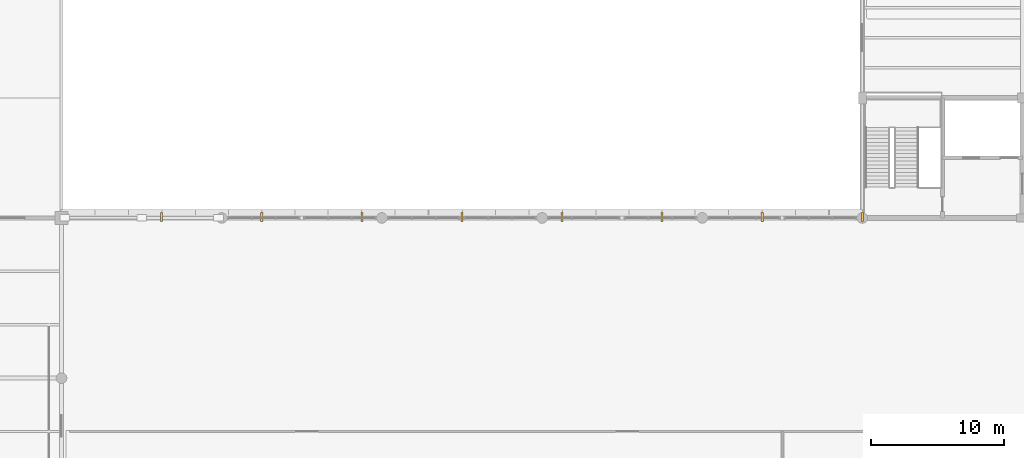
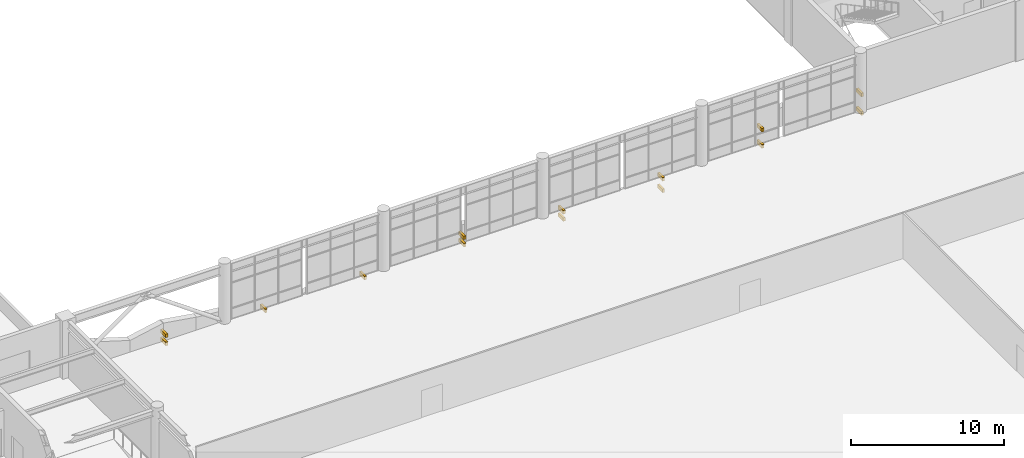
# One storey, part 72 of 72: 14 coverings.
"""IFC4 building model written with IfcOpenShell, lengths in metres."""

from ifc_helpers import new_model, si_unit, direction, frame, frame_2d, origin, place, context, subcontext, project, spatial, rectangle, extrude, material, layer, layer_set, type_object, element, save


model = new_model("IFC4")

# Units and contexts
model_context = context("Model", 3, precision=1e-05, world=origin(), true_north=direction((0.0, 1.0)))
body_context = subcontext(model_context, "Body", "Model", "MODEL_VIEW")
ifc_project = project(units=[si_unit("LENGTHUNIT", "METRE"), si_unit("AREAUNIT", "SQUARE_METRE"), si_unit("VOLUMEUNIT", "CUBIC_METRE"), si_unit("PLANEANGLEUNIT", "RADIAN"), si_unit("MASSUNIT", "GRAM", prefix="KILO")], contexts=[model_context])

# Site, building, storey
site_placement = place(None, origin())
site = spatial("IfcSite", under=ifc_project, at=site_placement, CompositionType="ELEMENT")
building_placement = place(site_placement, origin())
building = spatial("IfcBuilding", under=site, at=building_placement, Name="Keelwater Ferry Terminal", CompositionType="ELEMENT")
storey_placement = place(building_placement, frame((0.0, 0.0, 5.39990234375)))
storey = spatial("IfcBuildingStorey", under=building, at=storey_placement, Name="L01", CompositionType="ELEMENT", Elevation=5.39990234375)

# Coverings
ifc_material = material(Name="Matte white architectural aluminium fascia ribbon", Category="aluminium")
ifc_layer = layer(ifc_material, 0.1201171875)
ifc_layer_set = layer_set([ifc_layer], Name="Matte white architectural aluminium fascia ribbon")
covering_type = type_object("IfcCoveringType", Name="RB-WHT Matte White Fascia Ribbon", PredefinedType="CLADDING", material=ifc_layer_set)
covering_1_placement = place(storey_placement, frame((108.0, 90.419921875, 1.238037109375), z_axis=(0.0, 0.0, 1.0), x_axis=(0.0, -1.0, 0.0)))
element("IfcCovering", 1, at=covering_1_placement, inside=storey, type_object=covering_type, Name="Ribbon Horizontal Tie Bracket 6", PredefinedType="CLADDING", context=body_context, shape_type="SweptSolid", body=[
    extrude(rectangle(XDim=0.669921875, YDim=0.159912109375, at=frame_2d((0.3349609375, 0.0))), origin(), (0.0, 0.0, 1.0), 0.280029296875),
])
covering_2_placement = place(storey_placement, frame((108.0, 90.419921875, -0.25), z_axis=(0.0, 0.0, 1.0), x_axis=(0.0, -1.0, 0.0)))
element("IfcCovering", 2, at=covering_2_placement, inside=storey, type_object=covering_type, Name="Ribbon Slab Tie Bracket 8", PredefinedType="CLADDING", context=body_context, shape_type="SweptSolid", body=[
    extrude(rectangle(XDim=0.669921875, YDim=0.159912109375, at=frame_2d((0.3349609375, 0.0))), origin(), (0.0, 0.0, 1.0), 0.300048828125),
])
covering_3_placement = place(storey_placement, frame((100.5, 90.419921875, 1.05615234375), z_axis=(0.0, 0.0, 1.0), x_axis=(0.0, -1.0, 0.0)))
element("IfcCovering", 3, at=covering_3_placement, inside=storey, type_object=covering_type, Name="Ribbon Horizontal Tie Bracket 25", PredefinedType="CLADDING", context=body_context, shape_type="SweptSolid", body=[
    extrude(rectangle(XDim=0.669921875, YDim=0.159912109375, at=frame_2d((0.3349609375, 0.0))), origin(), (0.0, 0.0, 1.0), 0.280029296875),
])
covering_4_placement = place(storey_placement, frame((100.5, 90.419921875, -0.25), z_axis=(0.0, 0.0, 1.0), x_axis=(0.0, -1.0, 0.0)))
element("IfcCovering", 4, at=covering_4_placement, inside=storey, type_object=covering_type, Name="Ribbon Slab Tie Bracket 27", PredefinedType="CLADDING", context=body_context, shape_type="SweptSolid", body=[
    extrude(rectangle(XDim=0.669921875, YDim=0.159912109375, at=frame_2d((0.3349609375, 0.0))), origin(), (0.0, 0.0, 1.0), 0.300048828125),
])
covering_5_placement = place(storey_placement, frame((93.0, 90.419921875, -1.1689453125), z_axis=(0.0, 0.0, 1.0), x_axis=(0.0, -1.0, 0.0)))
element("IfcCovering", 5, at=covering_5_placement, inside=storey, type_object=covering_type, Name="Ribbon Horizontal Tie Bracket 44", PredefinedType="CLADDING", context=body_context, shape_type="SweptSolid", body=[
    extrude(rectangle(XDim=0.669921875, YDim=0.159912109375, at=frame_2d((0.3349609375, 0.0))), origin(), (0.0, 0.0, 1.0), 0.280029296875),
])
covering_6_placement = place(storey_placement, frame((93.0, 90.419921875, -0.25), z_axis=(0.0, 0.0, 1.0), x_axis=(0.0, -1.0, 0.0)))
element("IfcCovering", 6, at=covering_6_placement, inside=storey, type_object=covering_type, Name="Ribbon Slab Tie Bracket 46", PredefinedType="CLADDING", context=body_context, shape_type="SweptSolid", body=[
    extrude(rectangle(XDim=0.669921875, YDim=0.159912109375, at=frame_2d((0.3349609375, 0.0))), origin(), (0.0, 0.0, 1.0), 0.300048828125),
])
covering_7_placement = place(storey_placement, frame((85.5, 90.419921875, -0.827880859375), z_axis=(0.0, 0.0, 1.0), x_axis=(0.0, -1.0, 0.0)))
element("IfcCovering", 7, at=covering_7_placement, inside=storey, type_object=covering_type, Name="Ribbon Horizontal Tie Bracket 63", PredefinedType="CLADDING", context=body_context, shape_type="SweptSolid", body=[
    extrude(rectangle(XDim=0.669921875, YDim=0.159912109375, at=frame_2d((0.3349609375, 0.0))), origin(), (0.0, 0.0, 1.0), 0.280029296875),
])
covering_8_placement = place(storey_placement, frame((85.5, 90.419921875, -0.25), z_axis=(0.0, 0.0, 1.0), x_axis=(0.0, -1.0, 0.0)))
element("IfcCovering", 8, at=covering_8_placement, inside=storey, type_object=covering_type, Name="Ribbon Slab Tie Bracket 66", PredefinedType="CLADDING", context=body_context, shape_type="SweptSolid", body=[
    extrude(rectangle(XDim=0.669921875, YDim=0.159912109375, at=frame_2d((0.3349609375, 0.0))), origin(), (0.0, 0.0, 1.0), 0.300048828125),
])
covering_9_placement = place(storey_placement, frame((78.0, 90.419921875, 0.340087890625), z_axis=(0.0, 0.0, 1.0), x_axis=(0.0, -1.0, 0.0)))
element("IfcCovering", 9, at=covering_9_placement, inside=storey, type_object=covering_type, Name="Ribbon Horizontal Tie Bracket 81", PredefinedType="CLADDING", context=body_context, shape_type="SweptSolid", body=[
    extrude(rectangle(XDim=0.669921875, YDim=0.159912109375, at=frame_2d((0.3349609375, 0.0))), origin(), (0.0, 0.0, 1.0), 0.280029296875),
])
for number, where, z_axis, x_axis, name in (
    (10, (78.0, 90.419921875, -0.25), (0.0, 0.0, 1.0), (0.0, -1.0, 0.0), "Ribbon Slab Tie Bracket 84"),
    (11, (70.5, 90.419921875, -0.25), (0.0, 0.0, 1.0), (0.0, -1.0, 0.0), "Ribbon Slab Tie Bracket 103"),
    (12, (63.0, 90.419921875, -0.25), (0.0, 0.0, 1.0), (0.0, -1.0, 0.0), "Ribbon Slab Tie Bracket 122"),
):
    element("IfcCovering", number, at=place(storey_placement, frame(where, z_axis=z_axis, x_axis=x_axis)), inside=storey, type_object=covering_type, Name=name, PredefinedType="CLADDING", context=body_context, shape_type="SweptSolid", body=[
        extrude(rectangle(XDim=0.669921875, YDim=0.159912109375, at=frame_2d((0.3349609375, 0.0))), origin(), (0.0, 0.0, 1.0), 0.300048828125),
    ])
covering_10_placement = place(storey_placement, frame((55.5, 90.419921875, 0.39306640625), z_axis=(0.0, 0.0, 1.0), x_axis=(0.0, -1.0, 0.0)))
element("IfcCovering", 13, at=covering_10_placement, inside=storey, type_object=covering_type, Name="Ribbon Horizontal Tie Bracket 139", PredefinedType="CLADDING", context=body_context, shape_type="SweptSolid", body=[
    extrude(rectangle(XDim=0.669921875, YDim=0.159912109375, at=frame_2d((0.3349609375, 0.0))), origin(), (0.0, 0.0, 1.0), 0.280029296875),
])
covering_11_placement = place(storey_placement, frame((55.5, 90.419921875, -0.25), z_axis=(0.0, 0.0, 1.0), x_axis=(0.0, -1.0, 0.0)))
element("IfcCovering", 14, at=covering_11_placement, inside=storey, type_object=covering_type, Name="Ribbon Slab Tie Bracket 142", PredefinedType="CLADDING", context=body_context, shape_type="SweptSolid", body=[
    extrude(rectangle(XDim=0.669921875, YDim=0.159912109375, at=frame_2d((0.3349609375, 0.0))), origin(), (0.0, 0.0, 1.0), 0.300048828125),
])

save(model, "model.ifc")
